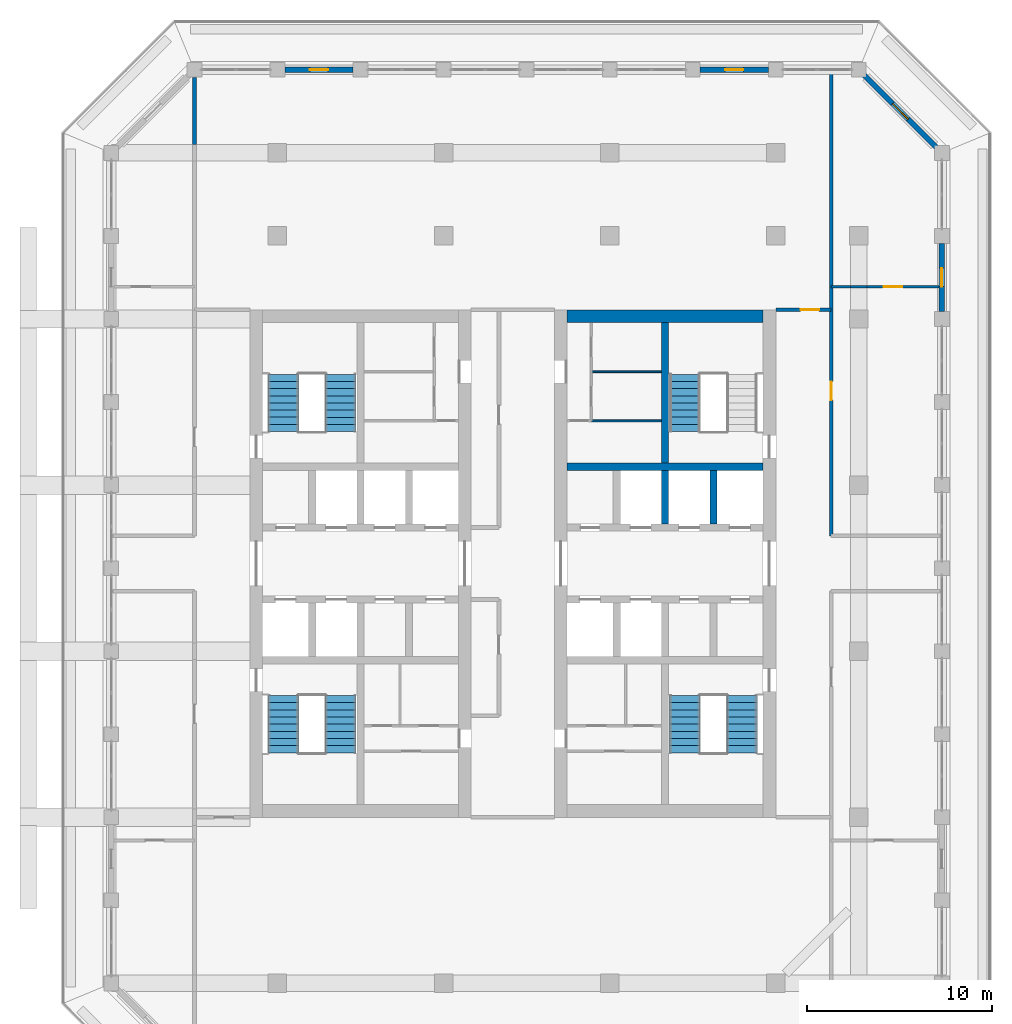
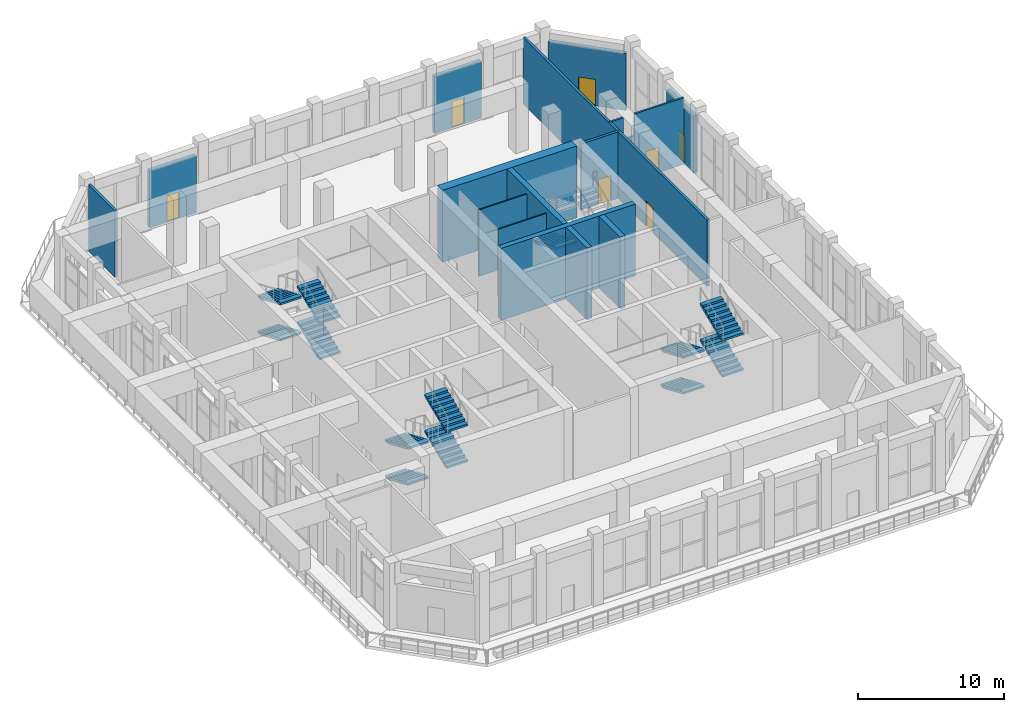
# One storey, part 15 of 25: 17 walls, 13 stair flights, 7 doors, 7 openings, 4 elements without a shape of their own.
"""IFC4 building model written with IfcOpenShell, lengths in metres."""

from ifc_helpers import new_model, si_unit, direction, frame, frame_2d, origin, place, context, subcontext, project, spatial, polyline, rectangle, outline, extrude, material, layer, layer_set, type_object, element, fill, aggregate, save


model = new_model("IFC4")

# Units and contexts
model_context = context("Model", 3, precision=1e-05, world=origin(), true_north=direction((0.0, 1.0)))
body_context = subcontext(model_context, "Body", "Model", "MODEL_VIEW")
ifc_project = project(units=[si_unit("LENGTHUNIT", "METRE"), si_unit("AREAUNIT", "SQUARE_METRE"), si_unit("VOLUMEUNIT", "CUBIC_METRE"), si_unit("PLANEANGLEUNIT", "RADIAN"), si_unit("MASSUNIT", "GRAM", prefix="KILO")], contexts=[model_context])

# Site, building, storey
site_placement = place(None, origin())
site = spatial("IfcSite", under=ifc_project, at=site_placement, CompositionType="ELEMENT")
building_placement = place(site_placement, origin())
building = spatial("IfcBuilding", under=site, at=building_placement, Name="Corbel Stack Research Tower", CompositionType="ELEMENT")
storey_placement = place(building_placement, frame((0.0, 0.0, 260.300048828125)))
storey = spatial("IfcBuildingStorey", under=building, at=storey_placement, Name="L59", CompositionType="ELEMENT", Elevation=260.300048828125)

# Walls
ifc_material_1 = material(Name="Concrete C60/75", Category="concrete")
ifc_layer_1 = layer(ifc_material_1, 0.39990234375)
ifc_layer_set_1 = layer_set([ifc_layer_1], Name="Concrete C60/75")
wall_type_1 = type_object("IfcWallType", Name="CW-400-60", PredefinedType="SHEAR", material=ifc_layer_set_1)
wall_1_placement = place(storey_placement, frame((6.699951171875, 10.0, 0.0), z_axis=(0.0, 0.0, 1.0), x_axis=(1.0, 0.0, 0.0)))
element("IfcWall", 1, at=wall_1_placement, inside=storey, type_object=wall_type_1, Name="East core wall, north row back L59", PredefinedType="SHEAR", context=body_context, shape_type="SweptSolid", body=[
    extrude(rectangle(XDim=10.60009765625, YDim=0.39990234375, at=frame_2d((5.300048828125, 0.0))), origin(), (0.0, 0.0, 1.0), 6.0),
])
for number, where, z_axis, x_axis, name in (
    (2, (12.0, 6.89990234375, 0.0), (0.0, 0.0, 1.0), (0.0, 1.0, 0.0), "East core wall, north shaft 2 L59"),
    (3, (14.625, 6.89990234375, 0.0), (0.0, 0.0, 1.0), (0.0, 1.0, 0.0), "East core wall, north shaft 3 L59"),
):
    element("IfcWall", number, at=place(storey_placement, frame(where, z_axis=z_axis, x_axis=x_axis)), inside=storey, type_object=wall_type_1, Name=name, PredefinedType="SHEAR", context=body_context, shape_type="SweptSolid", body=[
        extrude(rectangle(XDim=2.900146484375, YDim=0.39990234375, at=frame_2d((1.4501953125, 0.0))), origin(), (0.0, 0.0, 1.0), 6.0),
    ])
wall_2_placement = place(storey_placement, frame((12.0, 10.199951171875, 0.0), z_axis=(0.0, 0.0, 1.0), x_axis=(0.0, 1.0, 0.0)))
element("IfcWall", 4, at=wall_2_placement, inside=storey, type_object=wall_type_1, Name="East core wall, north stair and riser L59", PredefinedType="SHEAR", context=body_context, shape_type="SweptSolid", body=[
    extrude(rectangle(XDim=7.60009765625, YDim=0.39990234375, at=frame_2d((3.800048828125, 0.0))), origin(), (0.0, 0.0, 1.0), 6.0),
])
ifc_material_2 = material(Name="Concrete C60/75", Category="concrete")
ifc_layer_2 = layer(ifc_material_2, 0.699951171875)
ifc_layer_set_2 = layer_set([ifc_layer_2], Name="Concrete C60/75")
wall_type_2 = type_object("IfcWallType", Name="CW-700-60", PredefinedType="SHEAR", material=ifc_layer_set_2)
wall_3_placement = place(storey_placement, frame((6.699951171875, 18.14990234375, 0.0), z_axis=(0.0, 0.0, 1.0), x_axis=(1.0, 0.0, 0.0)))
element("IfcWall", 5, at=wall_3_placement, inside=storey, type_object=wall_type_2, Name="East core wall, north end L59", PredefinedType="SHEAR", context=body_context, shape_type="SweptSolid", body=[
    extrude(rectangle(XDim=10.60009765625, YDim=0.699951171875, at=frame_2d((5.300048828125, 0.0))), origin(), (0.0, 0.0, 1.0), 6.0),
])
ifc_material_3 = material(Name="Gypsum board")
ifc_layer_3 = layer(ifc_material_3, 0.10009765625)
ifc_layer_set_3 = layer_set([ifc_layer_3], Name="Gypsum board")
wall_type_3 = type_object("IfcWallType", Name="Core partition 100", PredefinedType="PARTITIONING", material=ifc_layer_set_3)
for number, where, z_axis, x_axis, name in (
    (6, (8.0, 12.47998046875, 0.0), (0.0, 0.0, 1.0), (1.0, 0.0, 0.0), "Core partition E"),
    (7, (8.0, 15.139892578125, 0.0), (0.0, 0.0, 1.0), (1.0, 0.0, 0.0), "Core partition E"),
):
    element("IfcWall", number, at=place(storey_placement, frame(where, z_axis=z_axis, x_axis=x_axis)), inside=storey, type_object=wall_type_3, Name=name, PredefinedType="PARTITIONING", context=body_context, shape_type="SweptSolid", body=[
        extrude(rectangle(XDim=3.800048828125, YDim=0.10009765625, at=frame_2d((1.89990234375, 0.0))), origin(), (0.0, 0.0, 1.0), 5.550048828125),
    ])
ifc_material_4 = material(Name="Fire-rated gypsum board partition on steel studs", Category="steel")
ifc_layer_4 = layer(ifc_material_4, 0.199951171875)
ifc_layer_set_4 = layer_set([ifc_layer_4], Name="Fire-rated gypsum board partition on steel studs")
wall_type_4 = type_object("IfcWallType", Name="Fire-rated partition 200 EI 60", PredefinedType="PARTITIONING", material=ifc_layer_set_4)
wall_4_placement = place(storey_placement, frame((-13.5, 27.449951171875, 0.0), z_axis=(0.0, 0.0, 1.0), x_axis=(0.0, 1.0, 0.0)))
element("IfcWall", 8, at=wall_4_placement, inside=storey, type_object=wall_type_4, Name="Partition L59-014", PredefinedType="PARTITIONING", context=body_context, shape_type="SweptSolid", body=[
    extrude(rectangle(XDim=3.627197265625, YDim=0.199951171875, at=frame_2d((1.8134765625, 0.0))), origin(), (0.0, 0.0, 1.0), 5.550048828125),
])

# Wall, opening, door
wall_5_placement = place(storey_placement, frame((21.0, 31.39990234375, 0.0), z_axis=(0.0, 0.0, 1.0), x_axis=(0.0, -1.0, 0.0)))
wall_5 = element("IfcWall", 9, at=wall_5_placement, inside=storey, type_object=wall_type_4, Name="Partition L59-020", PredefinedType="PARTITIONING", context=body_context, shape_type="SweptSolid", body=[
    extrude(rectangle(XDim=25.14990234375, YDim=0.199951171875, at=frame_2d((12.574951171875, 0.0))), origin(), (0.0, 0.0, 1.0), 5.550048828125),
])
opening_1_placement = place(wall_5_placement, frame((16.800048828125, 0.0, 0.0)))
opening_1 = element("IfcOpeningElement", 10, at=opening_1_placement, cuts=wall_5, Name="Opening B7AM-012", PredefinedType="OPENING", context=body_context, shape_type="SweptSolid", body=[
    extrude(rectangle(XDim=1.0, YDim=2.10009765625, at=frame_2d((0.5, 1.050048828125))), frame((0.0, 0.10986328125, 0.0), z_axis=(0.0, -1.0, 0.0), x_axis=(1.0, 0.0, 0.0)), (0.0, 0.0, 1.0), 0.219970703125),
])
ifc_material_5 = material(Name="Painted steel fire door", Category="steel")
door_type_1 = type_object("IfcDoorType", Name="Fire door FD30S 1000 x 2100", OperationType="NOTDEFINED", PredefinedType="DOOR", material=ifc_material_5)
door_1_placement = place(opening_1_placement, origin())
door_1 = element("IfcDoor", 11, at=door_1_placement, inside=storey, type_object=door_type_1, Name="Door B7AM-012", OperationType="SINGLE_SWING_RIGHT", OverallHeight=2.10009765625, OverallWidth=1.0, PredefinedType="DOOR", context=body_context, shape_type="SweptSolid", body=[
    extrude(rectangle(XDim=1.0, YDim=2.10009765625, at=frame_2d((0.5, 1.050048828125))), frame((0.0, 0.02490234375, 0.0), z_axis=(0.0, -1.0, 0.0), x_axis=(1.0, 0.0, 0.0)), (0.0, 0.0, 1.0), 0.050048828125),
])
fill(opening_1, door_1)

wall_6_placement = place(storey_placement, frame((18.0, 18.5, 0.0), z_axis=(0.0, 0.0, 1.0), x_axis=(1.0, 0.0, 0.0)))
wall_6 = element("IfcWall", 12, at=wall_6_placement, inside=storey, type_object=wall_type_4, Name="Partition L59-041", PredefinedType="PARTITIONING", context=body_context, shape_type="SweptSolid", body=[
    extrude(rectangle(XDim=3.0, YDim=0.199951171875, at=frame_2d((1.5, 0.0))), origin(), (0.0, 0.0, 1.0), 5.550048828125),
])
opening_2_placement = place(wall_6_placement, frame((1.35009765625, 0.0, 0.0)))
opening_2 = element("IfcOpeningElement", 13, at=opening_2_placement, cuts=wall_6, Name="Opening B7AM-008", PredefinedType="OPENING", context=body_context, shape_type="SweptSolid", body=[
    extrude(rectangle(XDim=1.0, YDim=2.10009765625, at=frame_2d((0.5, 1.050048828125))), frame((0.0, 0.10986328125, 0.0), z_axis=(0.0, -1.0, 0.0), x_axis=(1.0, 0.0, 0.0)), (0.0, 0.0, 1.0), 0.219970703125),
])
door_2_placement = place(opening_2_placement, origin())
door_2 = element("IfcDoor", 14, at=door_2_placement, inside=storey, type_object=door_type_1, Name="Door B7AM-008", OperationType="SINGLE_SWING_RIGHT", OverallHeight=2.10009765625, OverallWidth=1.0, PredefinedType="DOOR", context=body_context, shape_type="SweptSolid", body=[
    extrude(rectangle(XDim=1.0, YDim=2.10009765625, at=frame_2d((0.5, 1.050048828125))), frame((0.0, 0.02490234375, 0.0), z_axis=(0.0, -1.0, 0.0), x_axis=(1.0, 0.0, 0.0)), (0.0, 0.0, 1.0), 0.050048828125),
])
fill(opening_2, door_2)

# Walls
ifc_material_6 = material(Name="Gypsum board partition on steel studs", Category="steel")
ifc_layer_5 = layer(ifc_material_6, 0.14990234375)
ifc_layer_set_5 = layer_set([ifc_layer_5], Name="Gypsum board partition on steel studs")
wall_type_5 = type_object("IfcWallType", Name="Partition 150", PredefinedType="PARTITIONING", material=ifc_layer_set_5)
wall_7_placement = place(storey_placement, frame((21.0, 19.75, 0.0), z_axis=(0.0, 0.0, 1.0), x_axis=(1.0, 0.0, 0.0)))
element("IfcWall", 15, at=wall_7_placement, inside=storey, type_object=wall_type_5, Name="Partition L59-043", PredefinedType="PARTITIONING", context=body_context, shape_type="SweptSolid", body=[
    extrude(rectangle(XDim=1.050048828125, YDim=0.14990234375, at=frame_2d((0.52490234375, 0.0))), origin(), (0.0, 0.0, 1.0), 5.550048828125),
])
wall_8_placement = place(storey_placement, frame((22.050048828125, 19.75, 0.0), z_axis=(0.0, 0.0, 1.0), x_axis=(1.0, 0.0, 0.0)))
element("IfcWall", 16, at=wall_8_placement, inside=storey, type_object=wall_type_5, Name="Partition L59-044", PredefinedType="PARTITIONING", context=body_context, shape_type="SweptSolid", body=[
    extrude(rectangle(XDim=0.89990234375, YDim=0.14990234375, at=frame_2d((0.449951171875, 0.0))), origin(), (0.0, 0.0, 1.0), 3.719970703125),
])

# Wall, opening, door
wall_9_placement = place(storey_placement, frame((22.949951171875, 19.75, 0.0), z_axis=(0.0, 0.0, 1.0), x_axis=(1.0, 0.0, 0.0)))
wall_9 = element("IfcWall", 17, at=wall_9_placement, inside=storey, type_object=wall_type_5, Name="Partition L59-045", PredefinedType="PARTITIONING", context=body_context, shape_type="SweptSolid", body=[
    extrude(rectangle(XDim=3.900146484375, YDim=0.14990234375, at=frame_2d((1.9501953125, 0.0))), origin(), (0.0, 0.0, 1.0), 5.550048828125),
])
opening_3_placement = place(wall_9_placement, frame((0.89990234375, 0.0, 0.0)))
opening_3 = element("IfcOpeningElement", 18, at=opening_3_placement, cuts=wall_9, Name="Opening B7AM-010", PredefinedType="OPENING", context=body_context, shape_type="SweptSolid", body=[
    extrude(rectangle(XDim=1.0, YDim=2.10009765625, at=frame_2d((0.5, 1.050048828125))), frame((0.0, 0.0849609375, 0.0), z_axis=(0.0, -1.0, 0.0), x_axis=(1.0, 0.0, 0.0)), (0.0, 0.0, 1.0), 0.169921875),
])
ifc_material_7 = material(Name="Painted timber door", Category="wood")
door_type_2 = type_object("IfcDoorType", Name="Single door 1000 x 2100", OperationType="NOTDEFINED", PredefinedType="DOOR", material=ifc_material_7)
door_3_placement = place(opening_3_placement, origin())
door_3 = element("IfcDoor", 19, at=door_3_placement, inside=storey, type_object=door_type_2, Name="Door B7AM-010", OperationType="SINGLE_SWING_LEFT", OverallHeight=2.10009765625, OverallWidth=1.0, PredefinedType="DOOR", context=body_context, shape_type="SweptSolid", body=[
    extrude(rectangle(XDim=1.0, YDim=2.10009765625, at=frame_2d((0.5, 1.050048828125))), frame((0.0, 0.02490234375, 0.0), z_axis=(0.0, -1.0, 0.0), x_axis=(1.0, 0.0, 0.0)), (0.0, 0.0, 1.0), 0.050048828125),
])
fill(opening_3, door_3)

ifc_material_8 = material(Name="Concrete C45/55", Category="concrete")
ifc_layer_6 = layer(ifc_material_8, 0.300048828125)
ifc_layer_set_6 = layer_set([ifc_layer_6], Name="Concrete C45/55")
wall_type_6 = type_object("IfcWallType", Name="Terracotta-faced concrete wall 300", PredefinedType="SOLIDWALL", material=ifc_layer_set_6)
wall_10_placement = place(storey_placement, frame((27.0, 22.10009765625, 0.0), z_axis=(0.0, 0.0, 1.0), x_axis=(0.0, -1.0, 0.0)))
wall_10 = element("IfcWall", 20, at=wall_10_placement, inside=storey, type_object=wall_type_6, Name="Facade wall L59 E09", PredefinedType="SOLIDWALL", context=body_context, shape_type="SweptSolid", body=[
    extrude(rectangle(XDim=3.7001953125, YDim=0.300048828125, at=frame_2d((1.85009765625, 0.0))), origin(), (0.0, 0.0, 1.0), 4.75),
])
opening_4_placement = place(wall_10_placement, frame((1.35009765625, 0.0, 0.0)))
opening_4 = element("IfcOpeningElement", 21, at=opening_4_placement, cuts=wall_10, Name="Opening L59-B05", PredefinedType="OPENING", context=body_context, shape_type="SweptSolid", body=[
    extrude(rectangle(XDim=1.0, YDim=2.199951171875, at=frame_2d((0.5, 1.10009765625))), frame((0.0, 0.159912109375, 0.0), z_axis=(0.0, -1.0, 0.0), x_axis=(1.0, 0.0, 0.0)), (0.0, 0.0, 1.0), 0.320068359375),
])
ifc_material_9 = material(Name="Aluminium frame, clear double glazing", Category="aluminium")
door_type_3 = type_object("IfcDoorType", Name="Balcony door BD1 1000 x 2200", OperationType="NOTDEFINED", PredefinedType="DOOR", material=ifc_material_9)
door_4_placement = place(opening_4_placement, origin())
door_4 = element("IfcDoor", 22, at=door_4_placement, inside=storey, type_object=door_type_3, Name="Balcony door L59-B05", OperationType="SINGLE_SWING_RIGHT", OverallHeight=2.199951171875, OverallWidth=1.0, PredefinedType="DOOR", context=body_context, shape_type="SweptSolid", body=[
    extrude(rectangle(XDim=1.0, YDim=2.199951171875, at=frame_2d((0.5, 1.10009765625))), frame((0.0, 0.02490234375, 0.0), z_axis=(0.0, -1.0, 0.0), x_axis=(1.0, 0.0, 0.0)), (0.0, 0.0, 1.0), 0.050048828125),
])
fill(opening_4, door_4)

wall_11_placement = place(storey_placement, frame((22.7939453125, 31.2060546875, 0.0), z_axis=(0.0, 0.0, 1.0), x_axis=(0.707106781187, -0.707106781187, 0.0)))
wall_11 = element("IfcWall", 23, at=wall_11_placement, inside=storey, type_object=wall_type_6, Name="Facade wall L59 NE01", PredefinedType="SOLIDWALL", context=body_context, shape_type="SweptSolid", body=[
    extrude(rectangle(XDim=5.532470703125, YDim=0.300048828125, at=frame_2d((2.76611328125, 0.0))), origin(), (0.0, 0.0, 1.0), 4.75),
])
opening_5_placement = place(wall_11_placement, frame((2.166259765625, 0.0, 0.0)))
opening_5 = element("IfcOpeningElement", 24, at=opening_5_placement, cuts=wall_11, Name="Opening L59-B06", PredefinedType="OPENING", context=body_context, shape_type="SweptSolid", body=[
    extrude(rectangle(XDim=1.199951171875, YDim=2.199951171875, at=frame_2d((0.60009765625, 1.10009765625))), frame((0.0, 0.159912109375, 0.0), z_axis=(0.0, -1.0, 0.0), x_axis=(1.0, 0.0, 0.0)), (0.0, 0.0, 1.0), 0.320068359375),
])
ifc_material_10 = material(Name="Aluminium frame, clear double glazing", Category="aluminium")
door_type_4 = type_object("IfcDoorType", Name="Balcony door BD2 1200 x 2200", OperationType="NOTDEFINED", PredefinedType="DOOR", material=ifc_material_10)
door_5_placement = place(opening_5_placement, origin())
door_5 = element("IfcDoor", 25, at=door_5_placement, inside=storey, type_object=door_type_4, Name="Balcony door L59-B06", OperationType="SINGLE_SWING_RIGHT", OverallHeight=2.199951171875, OverallWidth=1.199951171875, PredefinedType="DOOR", context=body_context, shape_type="SweptSolid", body=[
    extrude(rectangle(XDim=1.199951171875, YDim=2.199951171875, at=frame_2d((0.60009765625, 1.10009765625))), frame((0.0, 0.02490234375, 0.0), z_axis=(0.0, -1.0, 0.0), x_axis=(1.0, 0.0, 0.0)), (0.0, 0.0, 1.0), 0.050048828125),
])
fill(opening_5, door_5)

wall_12_placement = place(storey_placement, frame((13.89990234375, 31.5, 0.0), z_axis=(0.0, 0.0, 1.0), x_axis=(1.0, 0.0, 0.0)))
wall_12 = element("IfcWall", 26, at=wall_12_placement, inside=storey, type_object=wall_type_6, Name="Facade wall L59 N02", PredefinedType="SOLIDWALL", context=body_context, shape_type="SweptSolid", body=[
    extrude(rectangle(XDim=3.7001953125, YDim=0.300048828125, at=frame_2d((1.85009765625, 0.0))), origin(), (0.0, 0.0, 1.0), 4.75),
])
opening_6_placement = place(wall_12_placement, frame((1.35009765625, 0.0, 0.0)))
opening_6 = element("IfcOpeningElement", 27, at=opening_6_placement, cuts=wall_12, Name="Opening L59-B07", PredefinedType="OPENING", context=body_context, shape_type="SweptSolid", body=[
    extrude(rectangle(XDim=1.0, YDim=2.199951171875, at=frame_2d((0.5, 1.10009765625))), frame((0.0, 0.159912109375, 0.0), z_axis=(0.0, -1.0, 0.0), x_axis=(1.0, 0.0, 0.0)), (0.0, 0.0, 1.0), 0.320068359375),
])
door_6_placement = place(opening_6_placement, origin())
door_6 = element("IfcDoor", 28, at=door_6_placement, inside=storey, type_object=door_type_3, Name="Balcony door L59-B07", OperationType="SINGLE_SWING_LEFT", OverallHeight=2.199951171875, OverallWidth=1.0, PredefinedType="DOOR", context=body_context, shape_type="SweptSolid", body=[
    extrude(rectangle(XDim=1.0, YDim=2.199951171875, at=frame_2d((0.5, 1.10009765625))), frame((0.0, 0.02490234375, 0.0), z_axis=(0.0, -1.0, 0.0), x_axis=(1.0, 0.0, 0.0)), (0.0, 0.0, 1.0), 0.050048828125),
])
fill(opening_6, door_6)

wall_13_placement = place(storey_placement, frame((-8.60009765625, 31.5, 0.0), z_axis=(0.0, 0.0, 1.0), x_axis=(1.0, 0.0, 0.0)))
wall_13 = element("IfcWall", 29, at=wall_13_placement, inside=storey, type_object=wall_type_6, Name="Facade wall L59 N07", PredefinedType="SOLIDWALL", context=body_context, shape_type="SweptSolid", body=[
    extrude(rectangle(XDim=3.7001953125, YDim=0.300048828125, at=frame_2d((1.85009765625, 0.0))), origin(), (0.0, 0.0, 1.0), 4.75),
])
opening_7_placement = place(wall_13_placement, frame((1.35009765625, 0.0, 0.0)))
opening_7 = element("IfcOpeningElement", 30, at=opening_7_placement, cuts=wall_13, Name="Opening L59-B08", PredefinedType="OPENING", context=body_context, shape_type="SweptSolid", body=[
    extrude(rectangle(XDim=1.0, YDim=2.199951171875, at=frame_2d((0.5, 1.10009765625))), frame((0.0, 0.159912109375, 0.0), z_axis=(0.0, -1.0, 0.0), x_axis=(1.0, 0.0, 0.0)), (0.0, 0.0, 1.0), 0.320068359375),
])
door_7_placement = place(opening_7_placement, origin())
door_7 = element("IfcDoor", 31, at=door_7_placement, inside=storey, type_object=door_type_3, Name="Balcony door L59-B08", OperationType="SINGLE_SWING_RIGHT", OverallHeight=2.199951171875, OverallWidth=1.0, PredefinedType="DOOR", context=body_context, shape_type="SweptSolid", body=[
    extrude(rectangle(XDim=1.0, YDim=2.199951171875, at=frame_2d((0.5, 1.10009765625))), frame((0.0, 0.02490234375, 0.0), z_axis=(0.0, -1.0, 0.0), x_axis=(1.0, 0.0, 0.0)), (0.0, 0.0, 1.0), 0.050048828125),
])
fill(opening_7, door_7)

# Stair, stair flights
ifc_material_11 = material(Name="Concrete C40/50", Category="concrete")
stair_type = type_object("IfcStairType", Name="Exit stair 36 risers, 388 going", PredefinedType="HALF_TURN_STAIR", material=ifc_material_11)
stair_1_placement = place(storey_placement, origin())
stair_1 = element("IfcStair", 32, at=stair_1_placement, inside=storey, type_object=stair_type, Name="L59 Exit stair ST-W1", PredefinedType="HALF_TURN_STAIR")
ifc_material_12 = material(Name="Concrete C40/50", Category="concrete")
stair_flight_type = type_object("IfcStairFlightType", Name="Stair flight 9 risers, 388 going", PredefinedType="STRAIGHT", material=ifc_material_12)
stair_flight_1_placement = place(storey_placement, frame((-8.675048828125, -2.39990234375, 0.0), z_axis=(0.0, 0.0, 1.0), x_axis=(0.0, -1.0, 0.0)))
stair_flight_1 = element("IfcStairFlight", 33, at=stair_flight_1_placement, type_object=stair_flight_type, Name="ST-W1 flight 1", NumberOfRisers=9, NumberOfTreads=8, PredefinedType="STRAIGHT", RiserHeight=0.166666667, TreadLength=0.388, context=body_context, shape_type="SweptSolid", body=[
    extrude(outline(polyline([(0.0, 0.0), (0.0, 0.166748046875), (0.387939453125, 0.166748046875), (0.387939453125, 0.333251953125), (0.77587890625, 0.333251953125), (0.77587890625, 0.5), (1.1640625, 0.5), (1.1640625, 0.666748046875), (1.552001953125, 0.666748046875), (1.552001953125, 0.833251953125), (1.93994140625, 0.833251953125), (1.93994140625, 1.0), (2.327880859375, 1.0), (2.327880859375, 1.166748046875), (2.716064453125, 1.166748046875), (2.716064453125, 1.333251953125), (3.10400390625, 1.333251953125), (3.10400390625, 1.5), (3.10400390625, 1.170166015625), (0.3798828125, 0.0), (0.0, 0.0)])), frame((0.0, 0.824951171875, 0.0), z_axis=(0.0, -1.0, 0.0), x_axis=(1.0, 0.0, 0.0)), (0.0, 0.0, 1.0), 1.64990234375),
])
stair_flight_2_placement = place(storey_placement, frame((-5.574951171875, -5.50390625, 1.5), z_axis=(0.0, 0.0, 1.0), x_axis=(0.0, 1.0, 0.0)))
stair_flight_2 = element("IfcStairFlight", 34, at=stair_flight_2_placement, type_object=stair_flight_type, Name="ST-W1 flight 2", NumberOfRisers=9, NumberOfTreads=8, PredefinedType="STRAIGHT", RiserHeight=0.166666667, TreadLength=0.388, context=body_context, shape_type="SweptSolid", body=[
    extrude(outline(polyline([(0.0, 0.0), (0.0, 0.166748046875), (0.387939453125, 0.166748046875), (0.387939453125, 0.333251953125), (0.77587890625, 0.333251953125), (0.77587890625, 0.5), (1.1640625, 0.5), (1.1640625, 0.666748046875), (1.552001953125, 0.666748046875), (1.552001953125, 0.833251953125), (1.93994140625, 0.833251953125), (1.93994140625, 1.0), (2.327880859375, 1.0), (2.327880859375, 1.166748046875), (2.716064453125, 1.166748046875), (2.716064453125, 1.333251953125), (3.10400390625, 1.333251953125), (3.10400390625, 1.5), (3.10400390625, 1.170166015625), (0.3798828125, 0.0), (0.0, 0.0)])), frame((0.0, 0.824951171875, 0.0), z_axis=(0.0, -1.0, 0.0), x_axis=(1.0, 0.0, 0.0)), (0.0, 0.0, 1.0), 1.64990234375),
])
stair_flight_3_placement = place(storey_placement, frame((-8.675048828125, -2.39990234375, 3.0), z_axis=(0.0, 0.0, 1.0), x_axis=(0.0, -1.0, 0.0)))
stair_flight_3 = element("IfcStairFlight", 35, at=stair_flight_3_placement, type_object=stair_flight_type, Name="ST-W1 flight 3", NumberOfRisers=9, NumberOfTreads=8, PredefinedType="STRAIGHT", RiserHeight=0.166666667, TreadLength=0.388, context=body_context, shape_type="SweptSolid", body=[
    extrude(outline(polyline([(0.0, 0.0), (0.0, 0.166748046875), (0.387939453125, 0.166748046875), (0.387939453125, 0.333251953125), (0.77587890625, 0.333251953125), (0.77587890625, 0.5), (1.1640625, 0.5), (1.1640625, 0.666748046875), (1.552001953125, 0.666748046875), (1.552001953125, 0.833251953125), (1.93994140625, 0.833251953125), (1.93994140625, 1.0), (2.327880859375, 1.0), (2.327880859375, 1.166748046875), (2.716064453125, 1.166748046875), (2.716064453125, 1.333251953125), (3.10400390625, 1.333251953125), (3.10400390625, 1.5), (3.10400390625, 1.170166015625), (0.3798828125, 0.0), (0.0, 0.0)])), frame((0.0, 0.824951171875, 0.0), z_axis=(0.0, -1.0, 0.0), x_axis=(1.0, 0.0, 0.0)), (0.0, 0.0, 1.0), 1.64990234375),
])
stair_flight_4_placement = place(storey_placement, frame((-5.574951171875, -5.50390625, 4.5), z_axis=(0.0, 0.0, 1.0), x_axis=(0.0, 1.0, 0.0)))
stair_flight_4 = element("IfcStairFlight", 36, at=stair_flight_4_placement, type_object=stair_flight_type, Name="ST-W1 flight 4", NumberOfRisers=9, NumberOfTreads=8, PredefinedType="STRAIGHT", RiserHeight=0.166666667, TreadLength=0.388, context=body_context, shape_type="SweptSolid", body=[
    extrude(outline(polyline([(0.0, 0.0), (0.0, 0.166748046875), (0.387939453125, 0.166748046875), (0.387939453125, 0.333251953125), (0.77587890625, 0.333251953125), (0.77587890625, 0.5), (1.1640625, 0.5), (1.1640625, 0.666748046875), (1.552001953125, 0.666748046875), (1.552001953125, 0.833251953125), (1.93994140625, 0.833251953125), (1.93994140625, 1.0), (2.327880859375, 1.0), (2.327880859375, 1.166748046875), (2.716064453125, 1.166748046875), (2.716064453125, 1.333251953125), (3.10400390625, 1.333251953125), (3.10400390625, 1.5), (3.10400390625, 1.170166015625), (0.3798828125, 0.0), (0.0, 0.0)])), frame((0.0, 0.824951171875, 0.0), z_axis=(0.0, -1.0, 0.0), x_axis=(1.0, 0.0, 0.0)), (0.0, 0.0, 1.0), 1.64990234375),
])
aggregate(stair_1, [stair_flight_1, stair_flight_2, stair_flight_3, stair_flight_4])

stair_2_placement = place(storey_placement, origin())
stair_2 = element("IfcStair", 37, at=stair_2_placement, inside=storey, type_object=stair_type, Name="L59 Exit stair ST-W2", PredefinedType="HALF_TURN_STAIR")
stair_flight_5_placement = place(storey_placement, frame((-5.574951171875, 11.89990234375, 0.0), z_axis=(0.0, 0.0, 1.0), x_axis=(0.0, 1.0, 0.0)))
stair_flight_5 = element("IfcStairFlight", 38, at=stair_flight_5_placement, type_object=stair_flight_type, Name="ST-W2 flight 1", NumberOfRisers=9, NumberOfTreads=8, PredefinedType="STRAIGHT", RiserHeight=0.166666667, TreadLength=0.388, context=body_context, shape_type="SweptSolid", body=[
    extrude(outline(polyline([(0.0, 0.0), (0.0, 0.166748046875), (0.387939453125, 0.166748046875), (0.387939453125, 0.333251953125), (0.77587890625, 0.333251953125), (0.77587890625, 0.5), (1.1640625, 0.5), (1.1640625, 0.666748046875), (1.552001953125, 0.666748046875), (1.552001953125, 0.833251953125), (1.93994140625, 0.833251953125), (1.93994140625, 1.0), (2.327880859375, 1.0), (2.327880859375, 1.166748046875), (2.716064453125, 1.166748046875), (2.716064453125, 1.333251953125), (3.10400390625, 1.333251953125), (3.10400390625, 1.5), (3.10400390625, 1.170166015625), (0.3798828125, 0.0), (0.0, 0.0)])), frame((0.0, 0.824951171875, 0.0), z_axis=(0.0, -1.0, 0.0), x_axis=(1.0, 0.0, 0.0)), (0.0, 0.0, 1.0), 1.64990234375),
])
stair_flight_6_placement = place(storey_placement, frame((-8.675048828125, 15.00390625, 1.5), z_axis=(0.0, 0.0, 1.0), x_axis=(0.0, -1.0, 0.0)))
stair_flight_6 = element("IfcStairFlight", 39, at=stair_flight_6_placement, type_object=stair_flight_type, Name="ST-W2 flight 2", NumberOfRisers=9, NumberOfTreads=8, PredefinedType="STRAIGHT", RiserHeight=0.166666667, TreadLength=0.388, context=body_context, shape_type="SweptSolid", body=[
    extrude(outline(polyline([(0.0, 0.0), (0.0, 0.166748046875), (0.387939453125, 0.166748046875), (0.387939453125, 0.333251953125), (0.77587890625, 0.333251953125), (0.77587890625, 0.5), (1.1640625, 0.5), (1.1640625, 0.666748046875), (1.552001953125, 0.666748046875), (1.552001953125, 0.833251953125), (1.93994140625, 0.833251953125), (1.93994140625, 1.0), (2.327880859375, 1.0), (2.327880859375, 1.166748046875), (2.716064453125, 1.166748046875), (2.716064453125, 1.333251953125), (3.10400390625, 1.333251953125), (3.10400390625, 1.5), (3.10400390625, 1.170166015625), (0.3798828125, 0.0), (0.0, 0.0)])), frame((0.0, 0.824951171875, 0.0), z_axis=(0.0, -1.0, 0.0), x_axis=(1.0, 0.0, 0.0)), (0.0, 0.0, 1.0), 1.64990234375),
])
stair_flight_7_placement = place(storey_placement, frame((-5.574951171875, 11.89990234375, 3.0), z_axis=(0.0, 0.0, 1.0), x_axis=(0.0, 1.0, 0.0)))
stair_flight_7 = element("IfcStairFlight", 40, at=stair_flight_7_placement, type_object=stair_flight_type, Name="ST-W2 flight 3", NumberOfRisers=9, NumberOfTreads=8, PredefinedType="STRAIGHT", RiserHeight=0.166666667, TreadLength=0.388, context=body_context, shape_type="SweptSolid", body=[
    extrude(outline(polyline([(0.0, 0.0), (0.0, 0.166748046875), (0.387939453125, 0.166748046875), (0.387939453125, 0.333251953125), (0.77587890625, 0.333251953125), (0.77587890625, 0.5), (1.1640625, 0.5), (1.1640625, 0.666748046875), (1.552001953125, 0.666748046875), (1.552001953125, 0.833251953125), (1.93994140625, 0.833251953125), (1.93994140625, 1.0), (2.327880859375, 1.0), (2.327880859375, 1.166748046875), (2.716064453125, 1.166748046875), (2.716064453125, 1.333251953125), (3.10400390625, 1.333251953125), (3.10400390625, 1.5), (3.10400390625, 1.170166015625), (0.3798828125, 0.0), (0.0, 0.0)])), frame((0.0, 0.824951171875, 0.0), z_axis=(0.0, -1.0, 0.0), x_axis=(1.0, 0.0, 0.0)), (0.0, 0.0, 1.0), 1.64990234375),
])
stair_flight_8_placement = place(storey_placement, frame((-8.675048828125, 15.00390625, 4.5), z_axis=(0.0, 0.0, 1.0), x_axis=(0.0, -1.0, 0.0)))
stair_flight_8 = element("IfcStairFlight", 41, at=stair_flight_8_placement, type_object=stair_flight_type, Name="ST-W2 flight 4", NumberOfRisers=9, NumberOfTreads=8, PredefinedType="STRAIGHT", RiserHeight=0.166666667, TreadLength=0.388, context=body_context, shape_type="SweptSolid", body=[
    extrude(outline(polyline([(0.0, 0.0), (0.0, 0.166748046875), (0.387939453125, 0.166748046875), (0.387939453125, 0.333251953125), (0.77587890625, 0.333251953125), (0.77587890625, 0.5), (1.1640625, 0.5), (1.1640625, 0.666748046875), (1.552001953125, 0.666748046875), (1.552001953125, 0.833251953125), (1.93994140625, 0.833251953125), (1.93994140625, 1.0), (2.327880859375, 1.0), (2.327880859375, 1.166748046875), (2.716064453125, 1.166748046875), (2.716064453125, 1.333251953125), (3.10400390625, 1.333251953125), (3.10400390625, 1.5), (3.10400390625, 1.170166015625), (0.3798828125, 0.0), (0.0, 0.0)])), frame((0.0, 0.824951171875, 0.0), z_axis=(0.0, -1.0, 0.0), x_axis=(1.0, 0.0, 0.0)), (0.0, 0.0, 1.0), 1.64990234375),
])
aggregate(stair_2, [stair_flight_5, stair_flight_6, stair_flight_7, stair_flight_8])

stair_3_placement = place(storey_placement, origin())
stair_3 = element("IfcStair", 42, at=stair_3_placement, inside=storey, type_object=stair_type, Name="L59 Exit stair ST-E1", PredefinedType="HALF_TURN_STAIR")
stair_flight_9_placement = place(storey_placement, frame((13.074951171875, -2.39990234375, 0.0), z_axis=(0.0, 0.0, 1.0), x_axis=(0.0, -1.0, 0.0)))
stair_flight_9 = element("IfcStairFlight", 43, at=stair_flight_9_placement, type_object=stair_flight_type, Name="ST-E1 flight 1", NumberOfRisers=9, NumberOfTreads=8, PredefinedType="STRAIGHT", RiserHeight=0.166666667, TreadLength=0.388, context=body_context, shape_type="SweptSolid", body=[
    extrude(outline(polyline([(0.0, 0.0), (0.0, 0.166748046875), (0.387939453125, 0.166748046875), (0.387939453125, 0.333251953125), (0.77587890625, 0.333251953125), (0.77587890625, 0.5), (1.1640625, 0.5), (1.1640625, 0.666748046875), (1.552001953125, 0.666748046875), (1.552001953125, 0.833251953125), (1.93994140625, 0.833251953125), (1.93994140625, 1.0), (2.327880859375, 1.0), (2.327880859375, 1.166748046875), (2.716064453125, 1.166748046875), (2.716064453125, 1.333251953125), (3.10400390625, 1.333251953125), (3.10400390625, 1.5), (3.10400390625, 1.170166015625), (0.3798828125, 0.0), (0.0, 0.0)])), frame((0.0, 0.824951171875, 0.0), z_axis=(0.0, -1.0, 0.0), x_axis=(1.0, 0.0, 0.0)), (0.0, 0.0, 1.0), 1.64990234375),
])
stair_flight_10_placement = place(storey_placement, frame((16.175048828125, -5.50390625, 1.5), z_axis=(0.0, 0.0, 1.0), x_axis=(0.0, 1.0, 0.0)))
stair_flight_10 = element("IfcStairFlight", 44, at=stair_flight_10_placement, type_object=stair_flight_type, Name="ST-E1 flight 2", NumberOfRisers=9, NumberOfTreads=8, PredefinedType="STRAIGHT", RiserHeight=0.166666667, TreadLength=0.388, context=body_context, shape_type="SweptSolid", body=[
    extrude(outline(polyline([(0.0, 0.0), (0.0, 0.166748046875), (0.387939453125, 0.166748046875), (0.387939453125, 0.333251953125), (0.77587890625, 0.333251953125), (0.77587890625, 0.5), (1.1640625, 0.5), (1.1640625, 0.666748046875), (1.552001953125, 0.666748046875), (1.552001953125, 0.833251953125), (1.93994140625, 0.833251953125), (1.93994140625, 1.0), (2.327880859375, 1.0), (2.327880859375, 1.166748046875), (2.716064453125, 1.166748046875), (2.716064453125, 1.333251953125), (3.10400390625, 1.333251953125), (3.10400390625, 1.5), (3.10400390625, 1.170166015625), (0.3798828125, 0.0), (0.0, 0.0)])), frame((0.0, 0.824951171875, 0.0), z_axis=(0.0, -1.0, 0.0), x_axis=(1.0, 0.0, 0.0)), (0.0, 0.0, 1.0), 1.64990234375),
])
stair_flight_11_placement = place(storey_placement, frame((13.074951171875, -2.39990234375, 3.0), z_axis=(0.0, 0.0, 1.0), x_axis=(0.0, -1.0, 0.0)))
stair_flight_11 = element("IfcStairFlight", 45, at=stair_flight_11_placement, type_object=stair_flight_type, Name="ST-E1 flight 3", NumberOfRisers=9, NumberOfTreads=8, PredefinedType="STRAIGHT", RiserHeight=0.166666667, TreadLength=0.388, context=body_context, shape_type="SweptSolid", body=[
    extrude(outline(polyline([(0.0, 0.0), (0.0, 0.166748046875), (0.387939453125, 0.166748046875), (0.387939453125, 0.333251953125), (0.77587890625, 0.333251953125), (0.77587890625, 0.5), (1.1640625, 0.5), (1.1640625, 0.666748046875), (1.552001953125, 0.666748046875), (1.552001953125, 0.833251953125), (1.93994140625, 0.833251953125), (1.93994140625, 1.0), (2.327880859375, 1.0), (2.327880859375, 1.166748046875), (2.716064453125, 1.166748046875), (2.716064453125, 1.333251953125), (3.10400390625, 1.333251953125), (3.10400390625, 1.5), (3.10400390625, 1.170166015625), (0.3798828125, 0.0), (0.0, 0.0)])), frame((0.0, 0.824951171875, 0.0), z_axis=(0.0, -1.0, 0.0), x_axis=(1.0, 0.0, 0.0)), (0.0, 0.0, 1.0), 1.64990234375),
])
stair_flight_12_placement = place(storey_placement, frame((16.175048828125, -5.50390625, 4.5), z_axis=(0.0, 0.0, 1.0), x_axis=(0.0, 1.0, 0.0)))
stair_flight_12 = element("IfcStairFlight", 46, at=stair_flight_12_placement, type_object=stair_flight_type, Name="ST-E1 flight 4", NumberOfRisers=9, NumberOfTreads=8, PredefinedType="STRAIGHT", RiserHeight=0.166666667, TreadLength=0.388, context=body_context, shape_type="SweptSolid", body=[
    extrude(outline(polyline([(0.0, 0.0), (0.0, 0.166748046875), (0.387939453125, 0.166748046875), (0.387939453125, 0.333251953125), (0.77587890625, 0.333251953125), (0.77587890625, 0.5), (1.1640625, 0.5), (1.1640625, 0.666748046875), (1.552001953125, 0.666748046875), (1.552001953125, 0.833251953125), (1.93994140625, 0.833251953125), (1.93994140625, 1.0), (2.327880859375, 1.0), (2.327880859375, 1.166748046875), (2.716064453125, 1.166748046875), (2.716064453125, 1.333251953125), (3.10400390625, 1.333251953125), (3.10400390625, 1.5), (3.10400390625, 1.170166015625), (0.3798828125, 0.0), (0.0, 0.0)])), frame((0.0, 0.824951171875, 0.0), z_axis=(0.0, -1.0, 0.0), x_axis=(1.0, 0.0, 0.0)), (0.0, 0.0, 1.0), 1.64990234375),
])
aggregate(stair_3, [stair_flight_9, stair_flight_10, stair_flight_11, stair_flight_12])

# Stair, stair flight
stair_4_placement = place(storey_placement, origin())
stair_4 = element("IfcStair", 47, at=stair_4_placement, inside=storey, type_object=stair_type, Name="L59 Exit stair ST-E2", PredefinedType="HALF_TURN_STAIR")
stair_flight_13_placement = place(storey_placement, frame((13.074951171875, 15.00390625, 1.5), z_axis=(0.0, 0.0, 1.0), x_axis=(0.0, -1.0, 0.0)))
stair_flight_13 = element("IfcStairFlight", 48, at=stair_flight_13_placement, type_object=stair_flight_type, Name="ST-E2 flight 2", NumberOfRisers=9, NumberOfTreads=8, PredefinedType="STRAIGHT", RiserHeight=0.166666667, TreadLength=0.388, context=body_context, shape_type="SweptSolid", body=[
    extrude(outline(polyline([(0.0, 0.0), (0.0, 0.166748046875), (0.387939453125, 0.166748046875), (0.387939453125, 0.333251953125), (0.77587890625, 0.333251953125), (0.77587890625, 0.5), (1.1640625, 0.5), (1.1640625, 0.666748046875), (1.552001953125, 0.666748046875), (1.552001953125, 0.833251953125), (1.93994140625, 0.833251953125), (1.93994140625, 1.0), (2.327880859375, 1.0), (2.327880859375, 1.166748046875), (2.716064453125, 1.166748046875), (2.716064453125, 1.333251953125), (3.10400390625, 1.333251953125), (3.10400390625, 1.5), (3.10400390625, 1.170166015625), (0.3798828125, 0.0), (0.0, 0.0)])), frame((0.0, 0.824951171875, 0.0), z_axis=(0.0, -1.0, 0.0), x_axis=(1.0, 0.0, 0.0)), (0.0, 0.0, 1.0), 1.64990234375),
])
aggregate(stair_4, [stair_flight_13])

save(model, "model.ifc")
